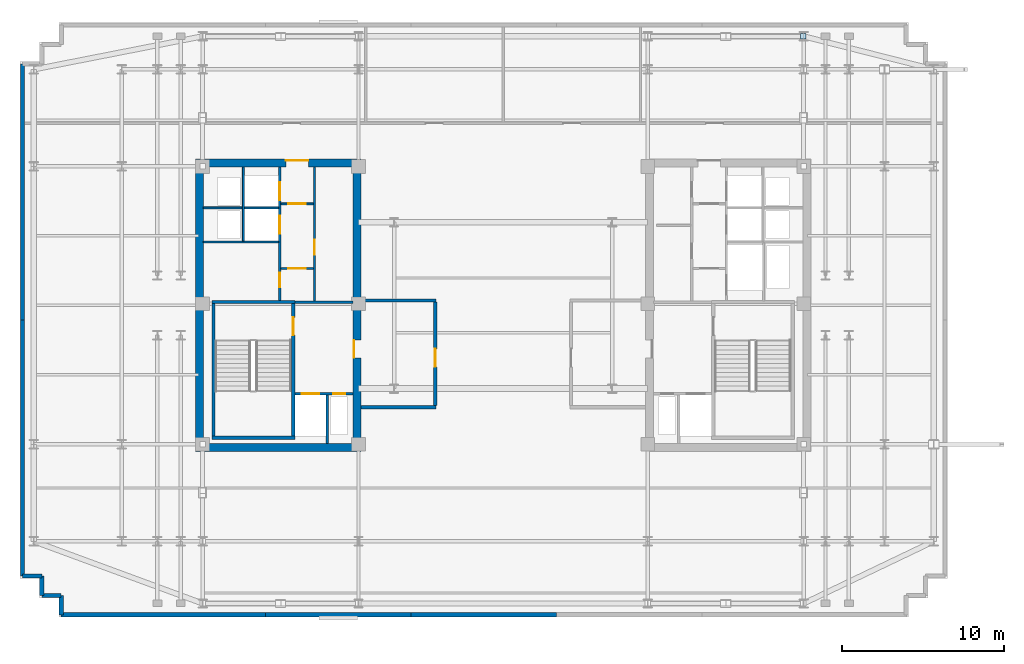
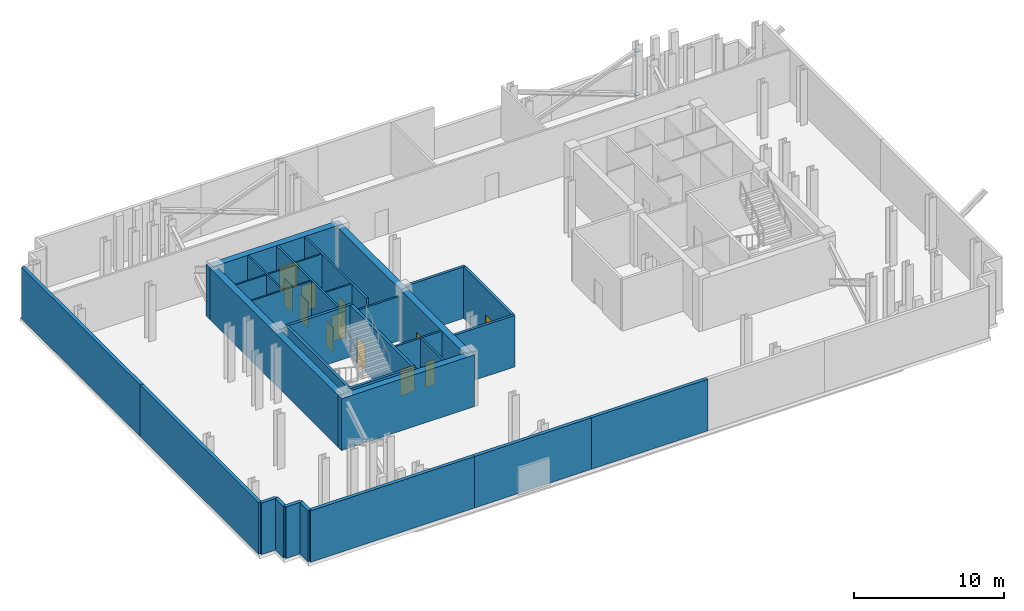
# One storey, part 4 of 8: 31 walls, 12 doors, 2 plates, 12 openings.
"""IFC4 building model written with IfcOpenShell, lengths in metres."""

from ifc_helpers import new_model, si_unit, direction, frame, frame_2d, origin, origin_2d, place, context, subcontext, project, spatial, rectangle, extrude, material, layer, layer_set, type_object, element, fill, save


model = new_model("IFC4")

# Units and contexts
model_context = context("Model", 3, precision=1e-05, world=origin(), true_north=direction((0.0, 1.0)))
body_context = subcontext(model_context, "Body", "Model", "MODEL_VIEW")
ifc_project = project(units=[si_unit("LENGTHUNIT", "METRE"), si_unit("AREAUNIT", "SQUARE_METRE"), si_unit("VOLUMEUNIT", "CUBIC_METRE"), si_unit("PLANEANGLEUNIT", "RADIAN"), si_unit("MASSUNIT", "GRAM", prefix="KILO")], contexts=[model_context])

# Site, building, storey
site_placement = place(None, origin())
site = spatial("IfcSite", under=ifc_project, at=site_placement, CompositionType="ELEMENT")
building_placement = place(site_placement, origin())
building = spatial("IfcBuilding", under=site, at=building_placement, Name="Velakula Bourse", CompositionType="ELEMENT")
storey_placement = place(building_placement, frame((0.0, 0.0, 243.0)))
storey = spatial("IfcBuildingStorey", under=building, at=storey_placement, Name="L66", CompositionType="ELEMENT", Elevation=243.0)

# Plates
ifc_material_1 = material(Name="Steel IS 2062 Grade 350 (E350)", Category="steel")
ifc_layer_1 = layer(ifc_material_1, 0.0400390625, Name="Steel IS 2062 Grade 350 (E350)", Category="steel")
ifc_layer_set_1 = layer_set([ifc_layer_1], Name="Steel IS 2062 Grade 350 (E350)")
plate_type = type_object("IfcPlateType", Name="PLT-ENDCAP-340", PredefinedType="USERDEFINED", material=ifc_layer_set_1)
for number, where, z_axis, x_axis, name in (
    (1, (18.588623046875, 16.64990234375, 3.845703125), (0.0, 0.0, 1.0), (1.0, 0.0, 0.0), "L66 Continuous Outrigger and Belt X-Brace BT-N3 hollow end cap plate 2"),
    (2, (18.588623046875, 16.64990234375, 0.2841796875), (0.0, 0.0, 1.0), (-1.0, 0.0, 0.0), "L66 Split X-Brace Lower Segment BT-N4A hollow end cap plate 1"),
):
    element("IfcPlate", number, at=place(storey_placement, frame(where, z_axis=z_axis, x_axis=x_axis)), inside=storey, type_object=plate_type, Name=name, ObjectType="GUSSET PLATE", PredefinedType="USERDEFINED", context=body_context, shape_type="SweptSolid", body=[
        extrude(rectangle(XDim=0.340087890625, YDim=0.340087890625, at=origin_2d()), origin(), (0.0, 0.0, 1.0), 0.0400390625),
    ])

# Wall, opening, door
ifc_material_2 = material(Name="Concrete M50 (fck 50 MPa)", Category="concrete")
ifc_layer_2 = layer(ifc_material_2, 0.2099609375, Name="Concrete M50 (fck 50 MPa)", Category="concrete")
ifc_layer_set_2 = layer_set([ifc_layer_2], Name="Concrete M50 (fck 50 MPa)")
wall_type_1 = type_object("IfcWallType", Name="WL-CORE-210", PredefinedType="SHEAR", material=ifc_layer_set_2)
wall_1_placement = place(storey_placement, frame((-12.9951171875, -8.10009765625, 0.0), z_axis=(0.0, 0.0, 1.0), x_axis=(0.0, 1.0, 0.0)))
wall_1 = element("IfcWall", 3, at=wall_1_placement, inside=storey, type_object=wall_type_1, Name="L66 Core W Stairwell Shear Wall IN", PredefinedType="SHEAR", context=body_context, shape_type="SweptSolid", body=[
    extrude(rectangle(XDim=8.2001953125, YDim=0.2099609375, at=frame_2d((4.10009765625, 0.0))), origin(), (0.0, 0.0, 1.0), 4.219970703125),
])
opening_1_placement = place(wall_1_placement, frame((6.25, 0.0, 0.0)))
opening_1 = element("IfcOpeningElement", 4, at=opening_1_placement, cuts=wall_1, Name="Opening D-STW1", PredefinedType="OPENING", context=body_context, shape_type="SweptSolid", body=[
    extrude(rectangle(XDim=1.10009765625, YDim=2.14990234375, at=frame_2d((0.550048828125, 1.074951171875))), frame((0.0, 0.114990234375, 0.0), z_axis=(0.0, -1.0, 0.0), x_axis=(1.0, 0.0, 0.0)), (0.0, 0.0, 1.0), 0.22998046875),
])
ifc_material_3 = material(Name="Galvanised painted hollow steel fire door", Category="steel")
door_type_1 = type_object("IfcDoorType", Name="DR-FD120-1100x2150", OperationType="NOTDEFINED", PredefinedType="DOOR", material=ifc_material_3)
door_1_placement = place(opening_1_placement, origin())
door_1 = element("IfcDoor", 5, at=door_1_placement, inside=storey, type_object=door_type_1, Name="L66 Stair ST-W1 Fire Door", OperationType="SINGLE_SWING_LEFT", OverallHeight=2.14990234375, OverallWidth=1.10009765625, PredefinedType="DOOR", context=body_context, shape_type="SweptSolid", body=[
    extrude(rectangle(XDim=1.10009765625, YDim=2.14990234375, at=frame_2d((0.550048828125, 1.074951171875))), frame((0.0, 0.02490234375, 0.0), z_axis=(0.0, -1.0, 0.0), x_axis=(1.0, 0.0, 0.0)), (0.0, 0.0, 1.0), 0.050048828125),
])
fill(opening_1, door_1)

# Walls
wall_2_placement = place(storey_placement, frame((-17.925048828125, -8.10009765625, 0.0), z_axis=(0.0, 0.0, 1.0), x_axis=(0.0, 1.0, 0.0)))
element("IfcWall", 6, at=wall_2_placement, inside=storey, type_object=wall_type_1, Name="L66 Core W Stairwell Shear Wall OUT", PredefinedType="SHEAR", context=body_context, shape_type="SweptSolid", body=[
    extrude(rectangle(XDim=8.2001953125, YDim=0.2099609375, at=frame_2d((4.10009765625, 0.0))), origin(), (0.0, 0.0, 1.0), 4.219970703125),
])
for number, where, z_axis, x_axis, name in (
    (7, (-18.030029296875, -8.205078125, 0.0), (0.0, 0.0, 1.0), (1.0, 0.0, 0.0), "L66 Core W Stairwell Shear Wall S"),
    (8, (-12.889892578125, 0.205078125, 0.0), (0.0, 0.0, 1.0), (-1.0, 0.0, 0.0), "L66 Core W Stairwell Shear Wall N"),
):
    element("IfcWall", number, at=place(storey_placement, frame(where, z_axis=z_axis, x_axis=x_axis)), inside=storey, type_object=wall_type_1, Name=name, PredefinedType="SHEAR", context=body_context, shape_type="SweptSolid", body=[
        extrude(rectangle(XDim=5.14013671875, YDim=0.2099609375, at=frame_2d((2.570068359375, 0.0))), origin(), (0.0, 0.0, 1.0), 4.219970703125),
    ])
ifc_layer_3 = layer(ifc_material_2, 0.5, Name="Concrete M50 (fck 50 MPa)", Category="concrete")
ifc_layer_set_3 = layer_set([ifc_layer_3], Name="Concrete M50 (fck 50 MPa)")
wall_type_2 = type_object("IfcWallType", Name="WL-CORE-500", PredefinedType="SHEAR", material=ifc_layer_set_3)
wall_3_placement = place(storey_placement, frame((-19.050048828125, -8.800048828125, 0.0), z_axis=(0.0, 0.0, 1.0), x_axis=(1.0, 0.0, 0.0)))
element("IfcWall", 9, at=wall_3_placement, inside=storey, type_object=wall_type_2, Name="L66 Core W Shear Wall S", PredefinedType="SHEAR", context=body_context, shape_type="SweptSolid", body=[
    extrude(rectangle(XDim=10.25, YDim=0.5, at=frame_2d((5.125, 0.0))), origin(), (0.0, 0.0, 1.0), 4.219970703125),
])

# Wall, opening, door
wall_4_placement = place(storey_placement, frame((-19.050048828125, 8.800048828125, 0.0), z_axis=(0.0, 0.0, 1.0), x_axis=(1.0, 0.0, 0.0)))
wall_4 = element("IfcWall", 10, at=wall_4_placement, inside=storey, type_object=wall_type_2, Name="L66 Core W Shear Wall N", PredefinedType="SHEAR", context=body_context, shape_type="SweptSolid", body=[
    extrude(rectangle(XDim=10.25, YDim=0.5, at=frame_2d((5.125, 0.0))), origin(), (0.0, 0.0, 1.0), 4.219970703125),
])
opening_2_placement = place(wall_4_placement, frame((5.60009765625, 0.0, 0.0)))
opening_2 = element("IfcOpeningElement", 11, at=opening_2_placement, cuts=wall_4, Name="Opening D-LLW", PredefinedType="OPENING", context=body_context, shape_type="SweptSolid", body=[
    extrude(rectangle(XDim=1.39990234375, YDim=2.050048828125, at=frame_2d((0.699951171875, 1.02490234375))), frame((0.0, 0.260009765625, 0.0), z_axis=(0.0, -1.0, 0.0), x_axis=(1.0, 0.0, 0.0)), (0.0, 0.0, 1.0), 0.52001953125),
])
ifc_material_4 = material(Name="Fire-rated hardwood flush architectural door", Category="wood")
door_type_2 = type_object("IfcDoorType", Name="DR-DBL-FD60-1400", OperationType="DOUBLE_DOOR_SINGLE_SWING", PredefinedType="DOOR", material=ifc_material_4)
door_2_placement = place(opening_2_placement, origin())
door_2 = element("IfcDoor", 12, at=door_2_placement, inside=storey, type_object=door_type_2, Name="L66 Core W Lift Lobby Corridor Double Door", OperationType="DOUBLE_DOOR_SINGLE_SWING", OverallHeight=2.050048828125, OverallWidth=1.39990234375, PredefinedType="DOOR", context=body_context, shape_type="SweptSolid", body=[
    extrude(rectangle(XDim=1.39990234375, YDim=2.050048828125, at=frame_2d((0.699951171875, 1.02490234375))), frame((0.0, 0.19482421875, 0.0), z_axis=(0.0, -1.0, 0.0), x_axis=(1.0, 0.0, 0.0)), (0.0, 0.0, 1.0), 0.050048828125),
])
fill(opening_2, door_2)

# Wall
wall_5_placement = place(storey_placement, frame((-18.800048828125, -8.550048828125, 0.0), z_axis=(0.0, 0.0, 1.0), x_axis=(0.0, 1.0, 0.0)))
element("IfcWall", 13, at=wall_5_placement, inside=storey, type_object=wall_type_2, Name="L66 Core W Shear Wall W", PredefinedType="SHEAR", context=body_context, shape_type="SweptSolid", body=[
    extrude(rectangle(XDim=17.10009765625, YDim=0.5, at=frame_2d((8.550048828125, 0.0))), origin(), (0.0, 0.0, 1.0), 4.219970703125),
])

# Wall, opening, door
wall_6_placement = place(storey_placement, frame((-9.050048828125, -8.550048828125, 0.0), z_axis=(0.0, 0.0, 1.0), x_axis=(0.0, 1.0, 0.0)))
wall_6 = element("IfcWall", 14, at=wall_6_placement, inside=storey, type_object=wall_type_2, Name="L66 Core W Shear Wall E", PredefinedType="SHEAR", context=body_context, shape_type="SweptSolid", body=[
    extrude(rectangle(XDim=17.10009765625, YDim=0.5, at=frame_2d((8.550048828125, 0.0))), origin(), (0.0, 0.0, 1.0), 4.219970703125),
])
opening_3_placement = place(wall_6_placement, frame((5.300048828125, 0.0, 0.0)))
opening_3 = element("IfcOpeningElement", 15, at=opening_3_placement, cuts=wall_6, Name="Opening D-FLW", PredefinedType="OPENING", context=body_context, shape_type="SweptSolid", body=[
    extrude(rectangle(XDim=1.10009765625, YDim=2.080078125, at=frame_2d((0.550048828125, 1.0400390625))), frame((0.0, 0.260009765625, 0.0), z_axis=(0.0, -1.0, 0.0), x_axis=(1.0, 0.0, 0.0)), (0.0, 0.0, 1.0), 0.52001953125),
])
door_type_3 = type_object("IfcDoorType", Name="DR-FD120-1100", OperationType="NOTDEFINED", PredefinedType="DOOR", material=ifc_material_3)
door_3_placement = place(opening_3_placement, origin())
door_3 = element("IfcDoor", 16, at=door_3_placement, inside=storey, type_object=door_type_3, Name="L66 Firefighting Lobby W Corridor Fire Door", OperationType="SINGLE_SWING_LEFT", OverallHeight=2.080078125, OverallWidth=1.10009765625, PredefinedType="DOOR", context=body_context, shape_type="SweptSolid", body=[
    extrude(rectangle(XDim=1.10009765625, YDim=2.080078125, at=frame_2d((0.550048828125, 1.0400390625))), frame((0.0, 0.205078125, 0.0), z_axis=(0.0, -1.0, 0.0), x_axis=(1.0, 0.0, 0.0)), (0.0, 0.0, 1.0), 0.050048828125),
])
fill(opening_3, door_3)

# Walls
ifc_material_5 = material(Name="Buff kilned clay facing brick masonry", Category="masonry")
ifc_layer_4 = layer(ifc_material_5, 0.260009765625, Name="Buff kilned clay facing brick masonry", Category="masonry")
ifc_layer_set_4 = layer_set([ifc_layer_4], Name="Buff kilned clay facing brick masonry")
wall_type_3 = type_object("IfcWallType", Name="WL-EXT-BRK-260", PredefinedType="STANDARD", material=ifc_layer_set_4)
wall_7_placement = place(storey_placement, frame((-14.699951171875, -19.14990234375, 0.0), z_axis=(0.0, 0.0, 1.0), x_axis=(-1.0, 0.0, 0.0)))
element("IfcWall", 17, at=wall_7_placement, inside=storey, type_object=wall_type_3, Name="L66 S Brick Spandrel Wall B1", PredefinedType="STANDARD", context=body_context, shape_type="SweptSolid", body=[
    extrude(rectangle(XDim=12.650146484375, YDim=0.260009765625, at=frame_2d((6.3251953125, 0.0))), origin(), (0.0, 0.0, 1.0), 4.199951171875),
])
for number, where, z_axis, x_axis, name in (
    (18, (-5.699951171875, -19.14990234375, 0.0), (0.0, 0.0, 1.0), (-1.0, 0.0, 0.0), "L66 S Brick Spandrel Wall B2"),
    (19, (3.300048828125, -19.14990234375, 0.0), (0.0, 0.0, 1.0), (-1.0, 0.0, 0.0), "L66 S Brick Spandrel Wall B3"),
):
    element("IfcWall", number, at=place(storey_placement, frame(where, z_axis=z_axis, x_axis=x_axis)), inside=storey, type_object=wall_type_3, Name=name, PredefinedType="STANDARD", context=body_context, shape_type="SweptSolid", body=[
        extrude(rectangle(XDim=9.0, YDim=0.260009765625, at=frame_2d((4.5, 0.0))), origin(), (0.0, 0.0, 1.0), 4.199951171875),
    ])
wall_8_placement = place(storey_placement, frame((-29.75, -16.75, 0.0), z_axis=(0.0, 0.0, 1.0), x_axis=(0.0, 1.0, 0.0)))
element("IfcWall", 20, at=wall_8_placement, inside=storey, type_object=wall_type_3, Name="L66 W Brick End Wall W1", PredefinedType="STANDARD", context=body_context, shape_type="SweptSolid", body=[
    extrude(rectangle(XDim=15.85009765625, YDim=0.260009765625, at=frame_2d((7.925048828125, 0.0))), origin(), (0.0, 0.0, 1.0), 4.199951171875),
])
wall_9_placement = place(storey_placement, frame((-29.75, -0.89990234375, 0.0), z_axis=(0.0, 0.0, 1.0), x_axis=(0.0, 1.0, 0.0)))
element("IfcWall", 21, at=wall_9_placement, inside=storey, type_object=wall_type_3, Name="L66 W Brick End Wall W2", PredefinedType="STANDARD", context=body_context, shape_type="SweptSolid", body=[
    extrude(rectangle(XDim=15.849853515625, YDim=0.260009765625, at=frame_2d((7.9248046875, 0.0))), origin(), (0.0, 0.0, 1.0), 4.199951171875),
])
for number, where, z_axis, x_axis, name in (
    (22, (-29.75, -16.75, 0.0), (0.0, 0.0, 1.0), (1.0, 0.0, 0.0), "L66 Serrated Corner Brick Wall SW-1"),
    (23, (-28.550048828125, -16.75, 0.0), (0.0, 0.0, 1.0), (0.0, -1.0, 0.0), "L66 Serrated Corner Brick Wall SW-2"),
    (24, (-28.550048828125, -17.949951171875, 0.0), (0.0, 0.0, 1.0), (1.0, 0.0, 0.0), "L66 Serrated Corner Brick Wall SW-3"),
    (25, (-27.35009765625, -17.949951171875, 0.0), (0.0, 0.0, 1.0), (0.0, -1.0, 0.0), "L66 Serrated Corner Brick Wall SW-4"),
):
    element("IfcWall", number, at=place(storey_placement, frame(where, z_axis=z_axis, x_axis=x_axis)), inside=storey, type_object=wall_type_3, Name=name, PredefinedType="STANDARD", context=body_context, shape_type="SweptSolid", body=[
        extrude(rectangle(XDim=1.199951171875, YDim=0.260009765625, at=frame_2d((0.60009765625, 0.0))), origin(), (0.0, 0.0, 1.0), 4.199951171875),
    ])

# Wall, opening, door
ifc_material_6 = material(Name="Fire-rated double-layer gypsum drywall partition", Category="gypsum")
ifc_layer_5 = layer(ifc_material_6, 0.1201171875, Name="Fire-rated double-layer gypsum drywall partition", Category="gypsum")
ifc_layer_set_5 = layer_set([ifc_layer_5], Name="Fire-rated double-layer gypsum drywall partition")
wall_type_4 = type_object("IfcWallType", Name="WL-PART-120", PredefinedType="STANDARD", material=ifc_layer_set_5)
wall_10_placement = place(storey_placement, frame((-13.75, 2.280029296875, 0.0), z_axis=(0.0, 0.0, 1.0), x_axis=(1.0, 0.0, 0.0)))
wall_10 = element("IfcWall", 26, at=wall_10_placement, inside=storey, type_object=wall_type_4, Name="L66 Interior Partition WL-CRW-L66-LL-K3A", PredefinedType="STANDARD", context=body_context, shape_type="SweptSolid", body=[
    extrude(rectangle(XDim=2.0, YDim=0.1201171875, at=frame_2d((1.0, 0.0))), origin(), (0.0, 0.0, 1.0), 4.199951171875),
])
opening_4_placement = place(wall_10_placement, frame((0.449951171875, 0.0, 0.0)))
opening_4 = element("IfcOpeningElement", 27, at=opening_4_placement, cuts=wall_10, Name="Opening D-LK3", PredefinedType="OPENING", context=body_context, shape_type="SweptSolid", body=[
    extrude(rectangle(XDim=1.10009765625, YDim=2.10009765625, at=frame_2d((0.550048828125, 1.050048828125))), frame((0.0, 0.070068359375, 0.0), z_axis=(0.0, -1.0, 0.0), x_axis=(1.0, 0.0, 0.0)), (0.0, 0.0, 1.0), 0.14013671875),
])
door_type_4 = type_object("IfcDoorType", Name="DR-FD60-1100x2100", OperationType="NOTDEFINED", PredefinedType="DOOR", material=ifc_material_4)
door_4_placement = place(opening_4_placement, origin())
door_4 = element("IfcDoor", 28, at=door_4_placement, inside=storey, type_object=door_type_4, Name="L66 Core W Lift Lobby Vestibule Door A", OperationType="SINGLE_SWING_RIGHT", OverallHeight=2.10009765625, OverallWidth=1.10009765625, PredefinedType="DOOR", context=body_context, shape_type="SweptSolid", body=[
    extrude(rectangle(XDim=1.10009765625, YDim=2.10009765625, at=frame_2d((0.550048828125, 1.050048828125))), frame((0.0, 0.02490234375, 0.0), z_axis=(0.0, -1.0, 0.0), x_axis=(1.0, 0.0, 0.0)), (0.0, 0.0, 1.0), 0.050048828125),
])
fill(opening_4, door_4)

wall_11_placement = place(storey_placement, frame((-13.75, 6.280029296875, 0.0), z_axis=(0.0, 0.0, 1.0), x_axis=(1.0, 0.0, 0.0)))
wall_11 = element("IfcWall", 29, at=wall_11_placement, inside=storey, type_object=wall_type_4, Name="L66 Interior Partition WL-CRW-L66-LL-K3B", PredefinedType="STANDARD", context=body_context, shape_type="SweptSolid", body=[
    extrude(rectangle(XDim=2.0, YDim=0.1201171875, at=frame_2d((1.0, 0.0))), origin(), (0.0, 0.0, 1.0), 4.199951171875),
])
opening_5_placement = place(wall_11_placement, frame((0.449951171875, 0.0, 0.0)))
opening_5 = element("IfcOpeningElement", 30, at=opening_5_placement, cuts=wall_11, Name="Opening D-LK3", PredefinedType="OPENING", context=body_context, shape_type="SweptSolid", body=[
    extrude(rectangle(XDim=1.10009765625, YDim=2.10009765625, at=frame_2d((0.550048828125, 1.050048828125))), frame((0.0, 0.070068359375, 0.0), z_axis=(0.0, -1.0, 0.0), x_axis=(1.0, 0.0, 0.0)), (0.0, 0.0, 1.0), 0.14013671875),
])
door_5_placement = place(opening_5_placement, origin())
door_5 = element("IfcDoor", 31, at=door_5_placement, inside=storey, type_object=door_type_4, Name="L66 Core W Lift Lobby Vestibule Door B", OperationType="SINGLE_SWING_RIGHT", OverallHeight=2.10009765625, OverallWidth=1.10009765625, PredefinedType="DOOR", context=body_context, shape_type="SweptSolid", body=[
    extrude(rectangle(XDim=1.10009765625, YDim=2.10009765625, at=frame_2d((0.550048828125, 1.050048828125))), frame((0.0, 0.02490234375, 0.0), z_axis=(0.0, -1.0, 0.0), x_axis=(1.0, 0.0, 0.0)), (0.0, 0.0, 1.0), 0.050048828125),
])
fill(opening_5, door_5)

# Walls
wall_12_placement = place(storey_placement, frame((-18.550048828125, 3.919921875, 0.0), z_axis=(0.0, 0.0, 1.0), x_axis=(1.0, 0.0, 0.0)))
element("IfcWall", 32, at=wall_12_placement, inside=storey, type_object=wall_type_4, Name="L66 Interior Partition WL-CRW-L66-HI-S", PredefinedType="STANDARD", context=body_context, shape_type="SweptSolid", body=[
    extrude(rectangle(XDim=4.650146484375, YDim=0.1201171875, at=frame_2d((2.3251953125, 0.0))), origin(), (0.0, 0.0, 1.0), 4.199951171875),
])
wall_13_placement = place(storey_placement, frame((-18.550048828125, 6.030029296875, 0.0), z_axis=(0.0, 0.0, 1.0), x_axis=(1.0, 0.0, 0.0)))
element("IfcWall", 33, at=wall_13_placement, inside=storey, type_object=wall_type_4, Name="L66 Interior Partition WL-CRW-L66-RIS-MID", PredefinedType="STANDARD", context=body_context, shape_type="SweptSolid", body=[
    extrude(rectangle(XDim=2.400146484375, YDim=0.1201171875, at=frame_2d((1.2001953125, 0.0))), origin(), (0.0, 0.0, 1.0), 4.199951171875),
])
wall_14_placement = place(storey_placement, frame((-16.074951171875, 3.97998046875, 0.0), z_axis=(0.0, 0.0, 1.0), x_axis=(0.0, 1.0, 0.0)))
element("IfcWall", 34, at=wall_14_placement, inside=storey, type_object=wall_type_4, Name="L66 Interior Partition WL-CRW-L66-RIS-F", PredefinedType="STANDARD", context=body_context, shape_type="SweptSolid", body=[
    extrude(rectangle(XDim=4.570068359375, YDim=0.1201171875, at=frame_2d((2.28515625, 0.0))), origin(), (0.0, 0.0, 1.0), 4.199951171875),
])
wall_15_placement = place(storey_placement, frame((-16.0, 6.030029296875, 0.0), z_axis=(0.0, 0.0, 1.0), x_axis=(1.0, 0.0, 0.0)))
element("IfcWall", 35, at=wall_15_placement, inside=storey, type_object=wall_type_4, Name="L66 Interior Partition WL-CRW-L66-HI-DIV", PredefinedType="STANDARD", context=body_context, shape_type="SweptSolid", body=[
    extrude(rectangle(XDim=2.10009765625, YDim=0.1201171875, at=frame_2d((1.050048828125, 0.0))), origin(), (0.0, 0.0, 1.0), 4.199951171875),
])

# Wall, openings, doors
ifc_material_7 = material(Name="Autoclaved aerated concrete blockwork masonry", Category="masonry")
ifc_layer_6 = layer(ifc_material_7, 0.14990234375, Name="Autoclaved aerated concrete blockwork masonry", Category="masonry")
ifc_layer_set_6 = layer_set([ifc_layer_6], Name="Autoclaved aerated concrete blockwork masonry")
wall_type_5 = type_object("IfcWallType", Name="WL-SHAFT-150", PredefinedType="STANDARD", material=ifc_layer_set_6)
wall_16_placement = place(storey_placement, frame((-12.89501953125, -5.47509765625, 0.0), z_axis=(0.0, 0.0, 1.0), x_axis=(1.0, 0.0, 0.0)))
wall_16 = element("IfcWall", 36, at=wall_16_placement, inside=storey, type_object=wall_type_5, Name="L66 Interior Partition WL-CRW-L66-FFL-N", PredefinedType="STANDARD", context=body_context, shape_type="SweptSolid", body=[
    extrude(rectangle(XDim=3.594970703125, YDim=0.14990234375, at=frame_2d((1.79736328125, 0.0))), origin(), (0.0, 0.0, 1.0), 4.199951171875),
])
opening_6_placement = place(wall_16_placement, frame((0.419921875, 0.0, 0.0)))
opening_6 = element("IfcOpeningElement", 37, at=opening_6_placement, cuts=wall_16, Name="Opening LD-FFL-1", PredefinedType="OPENING", context=body_context, shape_type="SweptSolid", body=[
    extrude(rectangle(XDim=1.10009765625, YDim=2.14990234375, at=frame_2d((0.550048828125, 1.074951171875))), frame((0.0, 0.0849609375, 0.0), z_axis=(0.0, -1.0, 0.0), x_axis=(1.0, 0.0, 0.0)), (0.0, 0.0, 1.0), 0.169921875),
])
opening_7_placement = place(wall_16_placement, frame((2.3701171875, 0.0, 0.0)))
opening_7 = element("IfcOpeningElement", 38, at=opening_7_placement, cuts=wall_16, Name="Opening D-RS1", PredefinedType="OPENING", context=body_context, shape_type="SweptSolid", body=[
    extrude(rectangle(XDim=0.75, YDim=2.050048828125, at=frame_2d((0.375, 1.02490234375))), frame((0.0, 0.0849609375, 0.0), z_axis=(0.0, -1.0, 0.0), x_axis=(1.0, 0.0, 0.0)), (0.0, 0.0, 1.0), 0.169921875),
])
door_type_5 = type_object("IfcDoorType", Name="DR-RISER-800", OperationType="NOTDEFINED", PredefinedType="DOOR", material=ifc_material_3)
door_6_placement = place(opening_7_placement, origin())
door_6 = element("IfcDoor", 39, at=door_6_placement, inside=storey, type_object=door_type_5, Name="L66 Fire Riser Access Door", OperationType="SINGLE_SWING_LEFT", OverallHeight=2.050048828125, OverallWidth=0.75, PredefinedType="DOOR", context=body_context, shape_type="SweptSolid", body=[
    extrude(rectangle(XDim=0.75, YDim=2.050048828125, at=frame_2d((0.375, 1.02490234375))), frame((0.0, 0.02490234375, 0.0), z_axis=(0.0, -1.0, 0.0), x_axis=(1.0, 0.0, 0.0)), (0.0, 0.0, 1.0), 0.050048828125),
])
fill(opening_7, door_6)
ifc_material_8 = material(Name="Brushed grade 316 stainless steel", Category="steel")
door_type_6 = type_object("IfcDoorType", Name="DR-SLIDE-FFL-1100", OperationType="DOUBLE_DOOR_SLIDING", PredefinedType="DOOR", material=ifc_material_8)
door_7_placement = place(opening_6_placement, origin())
door_7 = element("IfcDoor", 40, at=door_7_placement, inside=storey, type_object=door_type_6, Name="L66 Firefighting Lift FFL-1 Sliding Landing Door", OperationType="DOUBLE_DOOR_SLIDING", OverallHeight=2.14990234375, OverallWidth=1.10009765625, PredefinedType="DOOR", context=body_context, shape_type="SweptSolid", body=[
    extrude(rectangle(XDim=1.10009765625, YDim=2.14990234375, at=frame_2d((0.550048828125, 1.074951171875))), frame((0.0, 0.02490234375, 0.0), z_axis=(0.0, -1.0, 0.0), x_axis=(1.0, 0.0, 0.0)), (0.0, 0.0, 1.0), 0.050048828125),
])
fill(opening_6, door_7)

# Walls
wall_17_placement = place(storey_placement, frame((-10.875, -8.550048828125, 0.0), z_axis=(0.0, 0.0, 1.0), x_axis=(0.0, 1.0, 0.0)))
element("IfcWall", 41, at=wall_17_placement, inside=storey, type_object=wall_type_5, Name="L66 Interior Partition WL-CRW-L66-FR-DIV", PredefinedType="STANDARD", context=body_context, shape_type="SweptSolid", body=[
    extrude(rectangle(XDim=3.0, YDim=0.14990234375, at=frame_2d((1.5, 0.0))), origin(), (0.0, 0.0, 1.0), 4.199951171875),
])
wall_18_placement = place(storey_placement, frame((-12.889892578125, 0.18994140625, 0.0), z_axis=(0.0, 0.0, 1.0), x_axis=(1.0, 0.0, 0.0)))
element("IfcWall", 42, at=wall_18_placement, inside=storey, type_object=wall_type_5, Name="L66 Interior Partition WL-CRW-L66-FF-TOP", PredefinedType="STANDARD", context=body_context, shape_type="SweptSolid", body=[
    extrude(rectangle(XDim=3.58984375, YDim=0.14990234375, at=frame_2d((1.794921875, 0.0))), origin(), (0.0, 0.0, 1.0), 3.594970703125),
])

# Wall, opening, door
wall_19_placement = place(storey_placement, frame((-11.675048828125, 0.27001953125, 0.0), z_axis=(0.0, 0.0, 1.0), x_axis=(0.0, 1.0, 0.0)))
wall_19 = element("IfcWall", 43, at=wall_19_placement, inside=storey, type_object=wall_type_5, Name="L66 Interior Partition WL-CRW-L66-BANK-F", PredefinedType="STANDARD", context=body_context, shape_type="SweptSolid", body=[
    extrude(rectangle(XDim=8.280029296875, YDim=0.14990234375, at=frame_2d((4.14013671875, 0.0))), origin(), (0.0, 0.0, 1.0), 4.199951171875),
])
opening_8_placement = place(wall_19_placement, frame((2.85009765625, 0.0, 0.0)))
opening_8 = element("IfcOpeningElement", 44, at=opening_8_placement, cuts=wall_19, Name="Opening D-RC4", PredefinedType="OPENING", context=body_context, shape_type="SweptSolid", body=[
    extrude(rectangle(XDim=0.949951171875, YDim=2.050048828125, at=frame_2d((0.47509765625, 1.02490234375))), frame((0.0, 0.0849609375, 0.0), z_axis=(0.0, -1.0, 0.0), x_axis=(1.0, 0.0, 0.0)), (0.0, 0.0, 1.0), 0.169921875),
])
door_type_7 = type_object("IfcDoorType", Name="DR-FD60-950x2050", OperationType="NOTDEFINED", PredefinedType="DOOR", material=ifc_material_4)
door_8_placement = place(opening_8_placement, origin())
door_8 = element("IfcDoor", 45, at=door_8_placement, inside=storey, type_object=door_type_7, Name="L66 Reclaimed Multi-Bay Archive Room Door", OperationType="SINGLE_SWING_RIGHT", OverallHeight=2.050048828125, OverallWidth=0.949951171875, PredefinedType="DOOR", context=body_context, shape_type="SweptSolid", body=[
    extrude(rectangle(XDim=0.949951171875, YDim=2.050048828125, at=frame_2d((0.47509765625, 1.02490234375))), frame((0.0, 0.02490234375, 0.0), z_axis=(0.0, -1.0, 0.0), x_axis=(1.0, 0.0, 0.0)), (0.0, 0.0, 1.0), 0.050048828125),
])
fill(opening_8, door_8)

# Wall, openings, doors
wall_20_placement = place(storey_placement, frame((-13.824951171875, 0.27001953125, 0.0), z_axis=(0.0, 0.0, 1.0), x_axis=(0.0, 1.0, 0.0)))
wall_20 = element("IfcWall", 46, at=wall_20_placement, inside=storey, type_object=wall_type_5, Name="L66 Interior Partition WL-CRW-L66-OUT-F", PredefinedType="STANDARD", context=body_context, shape_type="SweptSolid", body=[
    extrude(rectangle(XDim=8.280029296875, YDim=0.14990234375, at=frame_2d((4.14013671875, 0.0))), origin(), (0.0, 0.0, 1.0), 4.199951171875),
])
opening_9_placement = place(wall_20_placement, frame((4.175048828125, 0.0, 0.0)))
opening_9 = element("IfcOpeningElement", 47, at=opening_9_placement, cuts=wall_20, Name="Opening LD-P9", PredefinedType="OPENING", context=body_context, shape_type="SweptSolid", body=[
    extrude(rectangle(XDim=1.10009765625, YDim=2.10009765625, at=frame_2d((0.550048828125, 1.050048828125))), frame((0.0, 0.0849609375, 0.0), z_axis=(0.0, -1.0, 0.0), x_axis=(1.0, 0.0, 0.0)), (0.0, 0.0, 1.0), 0.169921875),
])
opening_10_placement = place(wall_20_placement, frame((6.2451171875, 0.0, 0.0)))
opening_10 = element("IfcOpeningElement", 48, at=opening_10_placement, cuts=wall_20, Name="Opening LD-P10", PredefinedType="OPENING", context=body_context, shape_type="SweptSolid", body=[
    extrude(rectangle(XDim=1.10009765625, YDim=2.10009765625, at=frame_2d((0.550048828125, 1.050048828125))), frame((0.0, 0.0849609375, 0.0), z_axis=(0.0, -1.0, 0.0), x_axis=(1.0, 0.0, 0.0)), (0.0, 0.0, 1.0), 0.169921875),
])
opening_11_placement = place(wall_20_placement, frame((0.85009765625, 0.0, 0.0)))
opening_11 = element("IfcOpeningElement", 49, at=opening_11_placement, cuts=wall_20, Name="Opening D-CR3", PredefinedType="OPENING", context=body_context, shape_type="SweptSolid", body=[
    extrude(rectangle(XDim=0.89990234375, YDim=2.050048828125, at=frame_2d((0.449951171875, 1.02490234375))), frame((0.0, 0.0849609375, 0.0), z_axis=(0.0, -1.0, 0.0), x_axis=(1.0, 0.0, 0.0)), (0.0, 0.0, 1.0), 0.169921875),
])
door_type_8 = type_object("IfcDoorType", Name="DR-INT-900", OperationType="NOTDEFINED", PredefinedType="DOOR", material=ifc_material_4)
door_9_placement = place(opening_11_placement, origin())
door_9 = element("IfcDoor", 50, at=door_9_placement, inside=storey, type_object=door_type_8, Name="L66 Core Stationery and Mail Room Door", OperationType="SINGLE_SWING_RIGHT", OverallHeight=2.050048828125, OverallWidth=0.89990234375, PredefinedType="DOOR", context=body_context, shape_type="SweptSolid", body=[
    extrude(rectangle(XDim=0.89990234375, YDim=2.050048828125, at=frame_2d((0.449951171875, 1.02490234375))), frame((0.0, 0.02490234375, 0.0), z_axis=(0.0, -1.0, 0.0), x_axis=(1.0, 0.0, 0.0)), (0.0, 0.0, 1.0), 0.050048828125),
])
fill(opening_11, door_9)
door_type_9 = type_object("IfcDoorType", Name="DR-SLIDE-LD-1100", OperationType="DOUBLE_DOOR_SLIDING", PredefinedType="DOOR", material=ifc_material_8)
door_10_placement = place(opening_9_placement, origin())
door_10 = element("IfcDoor", 51, at=door_10_placement, inside=storey, type_object=door_type_9, Name="L66 Passenger Lift P9 Sliding Landing Door", OperationType="DOUBLE_DOOR_SLIDING", OverallHeight=2.10009765625, OverallWidth=1.10009765625, PredefinedType="DOOR", context=body_context, shape_type="SweptSolid", body=[
    extrude(rectangle(XDim=1.10009765625, YDim=2.10009765625, at=frame_2d((0.550048828125, 1.050048828125))), frame((0.0, 0.02490234375, 0.0), z_axis=(0.0, -1.0, 0.0), x_axis=(1.0, 0.0, 0.0)), (0.0, 0.0, 1.0), 0.050048828125),
])
fill(opening_9, door_10)
door_11_placement = place(opening_10_placement, origin())
door_11 = element("IfcDoor", 52, at=door_11_placement, inside=storey, type_object=door_type_9, Name="L66 Passenger Lift P10 Sliding Landing Door", OperationType="DOUBLE_DOOR_SLIDING", OverallHeight=2.10009765625, OverallWidth=1.10009765625, PredefinedType="DOOR", context=body_context, shape_type="SweptSolid", body=[
    extrude(rectangle(XDim=1.10009765625, YDim=2.10009765625, at=frame_2d((0.550048828125, 1.050048828125))), frame((0.0, 0.02490234375, 0.0), z_axis=(0.0, -1.0, 0.0), x_axis=(1.0, 0.0, 0.0)), (0.0, 0.0, 1.0), 0.050048828125),
])
fill(opening_10, door_11)

# Wall, opening, door
ifc_layer_7 = layer(ifc_material_7, 0.199951171875, Name="Autoclaved aerated concrete blockwork masonry", Category="masonry")
ifc_layer_set_7 = layer_set([ifc_layer_7], Name="Autoclaved aerated concrete blockwork masonry")
wall_type_6 = type_object("IfcWallType", Name="WL-SHAFT-200", PredefinedType="STANDARD", material=ifc_layer_set_7)
wall_21_placement = place(storey_placement, frame((-4.199951171875, -6.199951171875, 0.0), z_axis=(0.0, 0.0, 1.0), x_axis=(0.0, 1.0, 0.0)))
wall_21 = element("IfcWall", 53, at=wall_21_placement, inside=storey, type_object=wall_type_6, Name="L66 Interior Partition WL-REF-L66-W", PredefinedType="STANDARD", context=body_context, shape_type="SweptSolid", body=[
    extrude(rectangle(XDim=6.39990234375, YDim=0.199951171875, at=frame_2d((3.199951171875, 0.0))), origin(), (0.0, 0.0, 1.0), 4.199951171875),
])
opening_12_placement = place(wall_21_placement, frame((2.39990234375, 0.0, 0.0)))
opening_12 = element("IfcOpeningElement", 54, at=opening_12_placement, cuts=wall_21, Name="Opening D-RF1", PredefinedType="OPENING", context=body_context, shape_type="SweptSolid", body=[
    extrude(rectangle(XDim=1.10009765625, YDim=2.080078125, at=frame_2d((0.550048828125, 1.0400390625))), frame((0.0, 0.10986328125, 0.0), z_axis=(0.0, -1.0, 0.0), x_axis=(1.0, 0.0, 0.0)), (0.0, 0.0, 1.0), 0.219970703125),
])
door_12_placement = place(opening_12_placement, origin())
door_12 = element("IfcDoor", 55, at=door_12_placement, inside=storey, type_object=door_type_3, Name="L66 West Refuge Area Fire Door", OperationType="SINGLE_SWING_LEFT", OverallHeight=2.080078125, OverallWidth=1.10009765625, PredefinedType="DOOR", context=body_context, shape_type="SweptSolid", body=[
    extrude(rectangle(XDim=1.10009765625, YDim=2.080078125, at=frame_2d((0.550048828125, 1.0400390625))), frame((0.0, 0.02490234375, 0.0), z_axis=(0.0, -1.0, 0.0), x_axis=(1.0, 0.0, 0.0)), (0.0, 0.0, 1.0), 0.050048828125),
])
fill(opening_12, door_12)

# Walls
for number, where, z_axis, x_axis, name in (
    (56, (-8.800048828125, -6.300048828125, 0.0), (0.0, 0.0, 1.0), (1.0, 0.0, 0.0), "L66 Interior Partition WL-REF-L66-W-S"),
    (57, (-8.800048828125, 0.300048828125, 0.0), (0.0, 0.0, 1.0), (1.0, 0.0, 0.0), "L66 Interior Partition WL-REF-L66-W-N"),
):
    element("IfcWall", number, at=place(storey_placement, frame(where, z_axis=z_axis, x_axis=x_axis)), inside=storey, type_object=wall_type_6, Name=name, PredefinedType="STANDARD", context=body_context, shape_type="SweptSolid", body=[
        extrude(rectangle(XDim=4.650146484375, YDim=0.199951171875, at=frame_2d((2.3251953125, 0.0))), origin(), (0.0, 0.0, 1.0), 4.199951171875),
    ])

save(model, "model.ifc")
